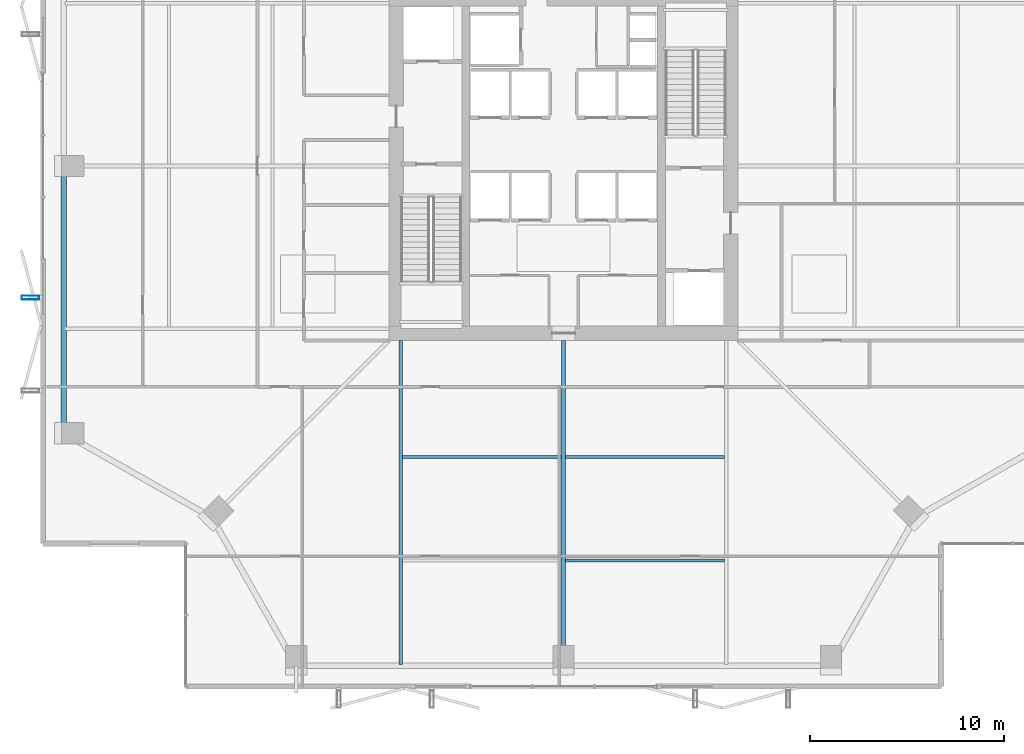
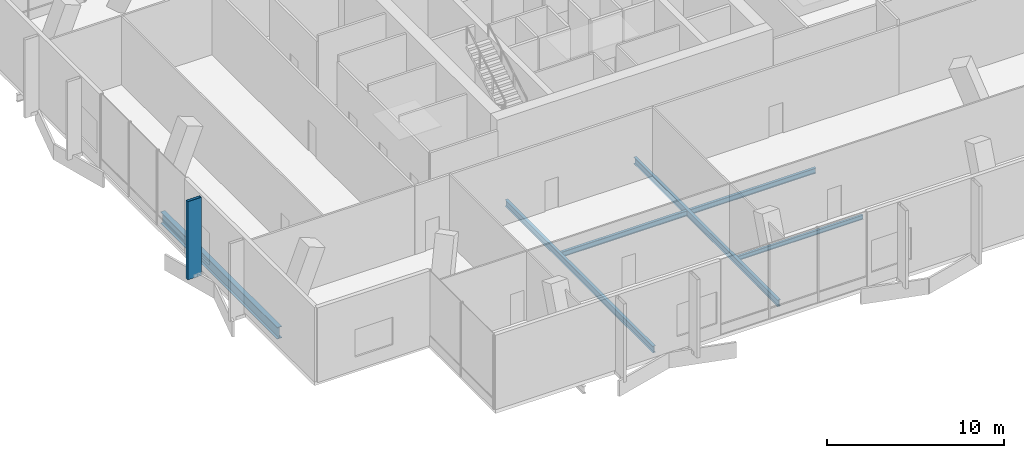
# One storey, part 6 of 33: 6 beams, 1 member.
"""IFC4 building model written with IfcOpenShell, lengths in metres."""

from ifc_helpers import new_model, si_unit, direction, frame, origin, origin_2d, place, context, subcontext, project, spatial, hollow_rectangle, i_section, extrude, material, material_profile, profile_set, type_object, element, save


model = new_model("IFC4")

# Units and contexts
model_context = context("Model", 3, precision=1e-05, world=origin(), true_north=direction((0.0, 1.0)))
body_context = subcontext(model_context, "Body", "Model", "MODEL_VIEW")
ifc_project = project(units=[si_unit("LENGTHUNIT", "METRE"), si_unit("AREAUNIT", "SQUARE_METRE"), si_unit("VOLUMEUNIT", "CUBIC_METRE"), si_unit("PLANEANGLEUNIT", "RADIAN"), si_unit("MASSUNIT", "GRAM", prefix="KILO")], contexts=[model_context])

# Site, building, storey
site_placement = place(None, origin())
site = spatial("IfcSite", under=ifc_project, at=site_placement, CompositionType="ELEMENT")
building_placement = place(site_placement, origin())
building = spatial("IfcBuilding", under=site, at=building_placement, Name="Belovzor Exchange Tower", CompositionType="ELEMENT")
storey_placement = place(building_placement, frame((0.0, 0.0, 241.199951171875)))
storey = spatial("IfcBuildingStorey", under=building, at=storey_placement, Name="L60", CompositionType="ELEMENT", Elevation=241.199951171875)

# Beams
ifc_material_1 = material(Name="Steel S355", Category="steel")
ifc_material_profile_1 = material_profile(ifc_material_1, i_section(OverallWidth=0.169921875, OverallDepth=0.360107421875, WebThickness=0.008056640625, FlangeThickness=0.0126953125, at=origin_2d()))
ifc_profile_set_1 = profile_set([ifc_material_profile_1], Name="Steel S355")
beam_type_1 = type_object("IfcBeamType", Name="Secondary Infill Floor Joist IPE 360", PredefinedType="BEAM", material=ifc_profile_set_1)
for number, where, z_axis, x_axis, name in (
    (1, (20.4951171875, 13.779052734375, -0.429931640625), (1.0, 0.0, 0.0), (0.0, 1.0, 0.0), "FJ-360 Secondary Infill Floor Joist IPE 360"),
    (2, (28.89501953125, 13.779052734375, -0.429931640625), (1.0, 0.0, 0.0), (0.0, 1.0, 0.0), "FJ-360 Secondary Infill Floor Joist IPE 360"),
):
    element("IfcBeam", number, at=place(storey_placement, frame(where, z_axis=z_axis, x_axis=x_axis)), inside=storey, type_object=beam_type_1, Name=name, PredefinedType="BEAM", context=body_context, shape_type="SweptSolid", body=[
        extrude(i_section(OverallWidth=0.169921875, OverallDepth=0.360107421875, WebThickness=0.008056640625, FlangeThickness=0.0126953125, at=origin_2d()), origin(), (0.0, 0.0, 1.0), 8.2099609375),
    ])
ifc_material_2 = material(Name="Steel S355", Category="steel")
ifc_material_profile_2 = material_profile(ifc_material_2, i_section(OverallWidth=0.14990234375, OverallDepth=0.300048828125, WebThickness=0.007080078125, FlangeThickness=0.0107421875, at=origin_2d()))
ifc_profile_set_2 = profile_set([ifc_material_profile_2], Name="Steel S355")
beam_type_2 = type_object("IfcBeamType", Name="Secondary Trim Floor Joist IPE 300", PredefinedType="BEAM", material=ifc_profile_set_2)
beam_1_placement = place(storey_placement, frame((28.89501953125, 8.427001953125, -0.39990234375), z_axis=(1.0, 0.0, 0.0), x_axis=(0.0, 1.0, 0.0)))
element("IfcBeam", 3, at=beam_1_placement, inside=storey, type_object=beam_type_2, Name="FJ-300 Secondary Trim Floor Joist IPE 300", PredefinedType="BEAM", context=body_context, shape_type="SweptSolid", body=[
    extrude(i_section(OverallWidth=0.14990234375, OverallDepth=0.300048828125, WebThickness=0.007080078125, FlangeThickness=0.0107421875, at=origin_2d()), origin(), (0.0, 0.0, 1.0), 8.2099609375),
])
ifc_material_3 = material(Name="Steel S355", Category="steel")
ifc_material_profile_3 = material_profile(ifc_material_3, i_section(OverallWidth=0.300048828125, OverallDepth=0.800048828125, WebThickness=0.017578125, FlangeThickness=0.032958984375, at=origin_2d()))
ifc_profile_set_3 = profile_set([ifc_material_profile_3], Name="Steel S355")
beam_type_3 = type_object("IfcBeamType", Name="Sky-Lobby Primary Girder HEB 800", PredefinedType="BEAM", material=ifc_profile_set_3)
beam_2_placement = place(storey_placement, frame((3.0, 28.498046875, -0.64990234375), z_axis=(0.0, -1.0, 0.0), x_axis=(1.0, 0.0, 0.0)))
element("IfcBeam", 4, at=beam_2_placement, inside=storey, type_object=beam_type_3, Name="SG-1 Sky-Lobby Primary Girder HEB 800", PredefinedType="BEAM", context=body_context, shape_type="SweptSolid", body=[
    extrude(i_section(OverallWidth=0.300048828125, OverallDepth=0.800048828125, WebThickness=0.017578125, FlangeThickness=0.032958984375, at=origin_2d()), origin(), (0.0, 0.0, 1.0), 13.195068359375),
])

# Member
ifc_material_4 = material(Name="Extruded Architectural Terracotta on Steel S355 Carrier", Category="masonry")
ifc_material_profile_4 = material_profile(ifc_material_4, hollow_rectangle(XDim=0.199951171875, YDim=0.89990234375, WallThickness=0.011962890625, at=origin_2d()))
ifc_profile_set_4 = profile_set([ifc_material_profile_4], Name="Extruded Architectural Terracotta on Steel S355 Carrier")
member_type = type_object("IfcMemberType", Name="Sweeping Terracotta Baguette Fin Assembly 950", PredefinedType="USERDEFINED", material=ifc_profile_set_4)
member_placement = place(storey_placement, frame((1.27490234375, 22.0, -0.25), z_axis=(0.0, 0.0, 1.0), x_axis=(0.0, 1.0, 0.0)))
element("IfcMember", 5, at=member_placement, inside=storey, type_object=member_type, Name="FIN-TC095 Terracotta Facade Fin L60 W2", ObjectType="FIN", PredefinedType="USERDEFINED", context=body_context, shape_type="SweptSolid", body=[
    extrude(hollow_rectangle(XDim=0.199951171875, YDim=0.89990234375, WallThickness=0.011962890625, at=origin_2d()), origin(), (0.0, 0.0, 1.0), 5.400146484375),
])

# Beams
ifc_material_5 = material(Name="Steel S355", Category="steel")
ifc_material_profile_5 = material_profile(ifc_material_5, i_section(OverallWidth=0.18994140625, OverallDepth=0.449951171875, WebThickness=0.009521484375, FlangeThickness=0.0146484375, at=origin_2d()))
ifc_profile_set_5 = profile_set([ifc_material_profile_5], Name="Steel S355")
beam_type_4 = type_object("IfcBeamType", Name="Zone 2-4 Radial Composite Floor Beam IPE 450", PredefinedType="BEAM", material=ifc_profile_set_5)
beam_3_placement = place(storey_placement, frame((20.39990234375, 19.800048828125, -0.474853515625), z_axis=(0.0, -1.0, 0.0), x_axis=(1.0, 0.0, 0.0)))
element("IfcBeam", 6, at=beam_3_placement, inside=storey, type_object=beam_type_4, Name="FB-450 Zone 2-4 Radial Composite Floor Beam IPE 450", PredefinedType="BEAM", context=body_context, shape_type="SweptSolid", body=[
    extrude(i_section(OverallWidth=0.18994140625, OverallDepth=0.449951171875, WebThickness=0.009521484375, FlangeThickness=0.0146484375, at=origin_2d()), origin(), (0.0, 0.0, 1.0), 16.72509765625),
])
beam_4_placement = place(storey_placement, frame((28.800048828125, 19.800048828125, -0.474853515625), z_axis=(0.0, -1.0, 0.0), x_axis=(1.0, 0.0, 0.0)))
element("IfcBeam", 7, at=beam_4_placement, inside=storey, type_object=beam_type_4, Name="FB-450 Zone 2-4 Radial Composite Floor Beam IPE 450", PredefinedType="BEAM", context=body_context, shape_type="SweptSolid", body=[
    extrude(i_section(OverallWidth=0.18994140625, OverallDepth=0.449951171875, WebThickness=0.009521484375, FlangeThickness=0.0146484375, at=origin_2d()), origin(), (0.0, 0.0, 1.0), 16.316162109375),
])

save(model, "model.ifc")
